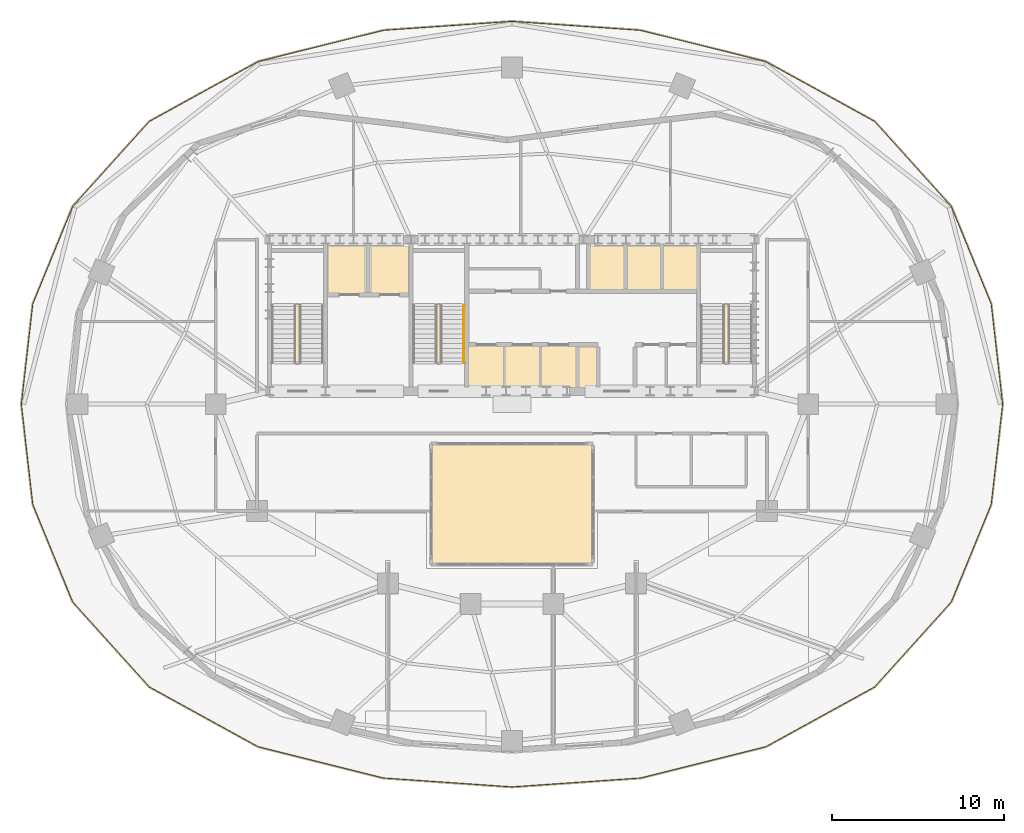
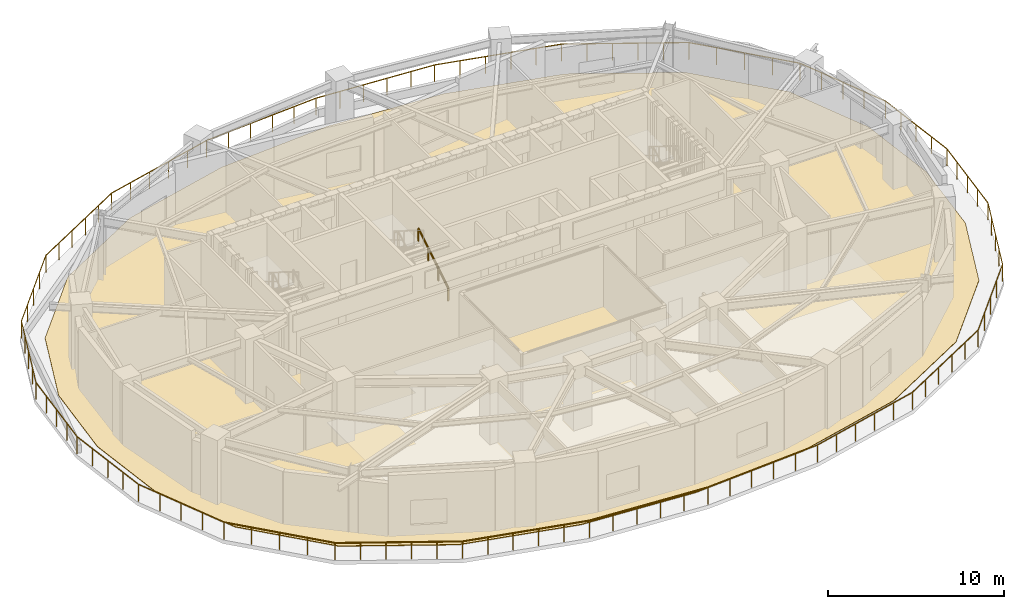
# One storey, part 10 of 11: 2 railings, 1 covering.
"""IFC4 building model written with IfcOpenShell, lengths in metres."""

import ifcopenshell
import ifcopenshell.guid

model = None  # the IFC model being written
_history = None  # IfcOwnerHistory: only IFC2X3 demands one
_inside = {}  # id of a spatial element -> (the spatial element, [elements in it])
_under = {}  # id of a project, library or spatial element -> (it, [spatial elements below it])
_declared = {}  # id of a project -> (the project, [libraries it declares])
_typed = {}  # id of a type object -> (the type object, [elements of that type])
_made_of = {}  # id of a material, layer set ... -> (it, [elements and type objects made of it])


def new_model(schema):
    """Start an empty IFC model of exactly this schema.

    Asked for "IFC4X3", IfcOpenShell would pick the latest addendum, in which some entities
    have other attributes; the version numbers below select the first issue.
    IFC2X3 requires an IfcOwnerHistory on every rooted entity: one is made here for all.
    """
    global model, _history
    if schema == "IFC4X3":
        model = ifcopenshell.file(schema_version=(4, 3, 0, 0))
    else:
        model = ifcopenshell.file(schema=schema)
    _inside.clear()
    _under.clear()
    _declared.clear()
    _typed.clear()
    _made_of.clear()
    _history = None
    if model.schema == "IFC2X3":
        org = make("IfcOrganization", Name="unknown")
        user = make(
            "IfcPersonAndOrganization",
            ThePerson=make("IfcPerson", FamilyName="unknown"),
            TheOrganization=org,
        )
        app = make(
            "IfcApplication",
            ApplicationDeveloper=org,
            Version="unknown",
            ApplicationFullName="unknown",
            ApplicationIdentifier="unknown",
        )
        _history = make(
            "IfcOwnerHistory",
            OwningUser=user,
            OwningApplication=app,
            ChangeAction="ADDED",
            CreationDate=0,
        )
    return model


def make(cls, **values):
    """One entity of the class cls with the attributes given. An attribute that is None is left unset."""
    return model.create_entity(
        cls, **{name: value for name, value in values.items() if value is not None}
    )


def rooted(cls, **values):
    """An entity with a GlobalId (a new one), such as an element, a storey or a relation."""
    return make(cls, GlobalId=ifcopenshell.guid.new(), OwnerHistory=_history, **values)


def si_unit(unit_type, name, prefix=None):
    """IfcSIUnit, for example si_unit("LENGTHUNIT", "METRE", prefix="MILLI")."""
    return make("IfcSIUnit", UnitType=unit_type, Prefix=prefix, Name=name)


def assignment(units):
    """IfcUnitAssignment: the units of a project."""
    return None if units is None else make("IfcUnitAssignment", Units=units)


def point(xyz):
    """IfcCartesianPoint."""
    return None if xyz is None else make("IfcCartesianPoint", Coordinates=xyz)


def direction(xyz):
    """IfcDirection."""
    return None if xyz is None else make("IfcDirection", DirectionRatios=xyz)


def frame(location, z_axis=None, x_axis=None):
    """IfcAxis2Placement3D, a coordinate frame: its origin and axes. An axis left out is left unset."""
    return make(
        "IfcAxis2Placement3D",
        Location=point(location),
        Axis=direction(z_axis),
        RefDirection=direction(x_axis),
    )


def frame_2d(location, x_axis=None):
    """IfcAxis2Placement2D, a coordinate frame in the plane: its origin and x axis."""
    return make(
        "IfcAxis2Placement2D", Location=point(location), RefDirection=direction(x_axis)
    )


def origin():
    """The frame at (0, 0, 0) with its axes left unset."""
    return frame((0.0, 0.0, 0.0))


def origin_2d():
    """The frame at (0, 0) in the plane with its x axis left unset."""
    return frame_2d((0.0, 0.0))


def place(relative_to, where):
    """IfcLocalPlacement: puts the frame where relative to a parent placement (None: the world)."""
    return make(
        "IfcLocalPlacement", PlacementRelTo=relative_to, RelativePlacement=where
    )


def context(
    kind, dimensions, precision=None, world=None, true_north=None, identifier=None
):
    """IfcGeometricRepresentationContext, for example the 3D "Model" context."""
    return make(
        "IfcGeometricRepresentationContext",
        ContextIdentifier=identifier,
        ContextType=kind,
        CoordinateSpaceDimension=dimensions,
        Precision=precision,
        WorldCoordinateSystem=world,
        TrueNorth=true_north,
    )


def subcontext(parent, identifier, kind, view, scale=None):
    """IfcGeometricRepresentationSubContext, for example "Body" below "Model"."""
    return make(
        "IfcGeometricRepresentationSubContext",
        ContextIdentifier=identifier,
        ContextType=kind,
        ParentContext=parent,
        TargetScale=scale,
        TargetView=view,
    )


def project(units=None, contexts=None):
    """IfcProject with its units and contexts."""
    return rooted(
        "IfcProject",
        Name="project",
        RepresentationContexts=contexts,
        UnitsInContext=assignment(units),
    )


def spatial(cls, under=None, at=None, **own):
    """A site, building, storey or space (cls), placed at a placement, below another one or the project."""
    s = rooted(cls, ObjectPlacement=at, **own)
    if under is not None:
        _under.setdefault(under.id(), (under, []))[1].append(s)
    return s


def polyline(points):
    """IfcPolyline through the points."""
    return make("IfcPolyline", Points=[point(p) for p in points])


def profile(cls, at=None, kind="AREA", **sizes):
    """A parametric profile (cls). Its sizes go by their IFC names, for example OverallWidth=200.0."""
    return make(cls, ProfileType=kind, Position=at, **sizes)


def rectangle(**sizes):
    """IfcRectangleProfileDef."""
    return profile("IfcRectangleProfileDef", **sizes)


def outline(outer, holes=None, kind="AREA"):
    """IfcArbitraryClosedProfileDef: a profile drawn as a closed curve; with holes, ...WithVoids."""
    if holes is None:
        return make("IfcArbitraryClosedProfileDef", ProfileType=kind, OuterCurve=outer)
    return make(
        "IfcArbitraryProfileDefWithVoids",
        ProfileType=kind,
        OuterCurve=outer,
        InnerCurves=holes,
    )


def extrude(swept, where, along, depth):
    """IfcExtrudedAreaSolid: the profile swept, set in the frame where, extruded along a direction by depth."""
    return make(
        "IfcExtrudedAreaSolid",
        SweptArea=swept,
        Position=where,
        ExtrudedDirection=direction(along),
        Depth=depth,
    )


def shape(context_of_items, identifier, shape_type, items):
    """IfcShapeRepresentation: the items that make up one representation, for example the "Body"."""
    return make(
        "IfcShapeRepresentation",
        ContextOfItems=context_of_items,
        RepresentationIdentifier=identifier,
        RepresentationType=shape_type,
        Items=items,
    )


def material(Name=None, Category=None):
    """IfcMaterial."""
    return make("IfcMaterial", Name=Name, Category=Category)


def layer(
    of_material, thickness, ventilated=None, Name=None, Category=None, Priority=None
):
    """IfcMaterialLayer: one layer of a wall or slab, of a material (None: an air gap)."""
    return make(
        "IfcMaterialLayer",
        Material=of_material,
        LayerThickness=thickness,
        IsVentilated=ventilated,
        Name=Name,
        Category=Category,
        Priority=Priority,
    )


def layer_set(layers, Name=None):
    """IfcMaterialLayerSet."""
    return make("IfcMaterialLayerSet", MaterialLayers=layers, LayerSetName=Name)


def made_of(thing, what):
    """Note that an element or type object is made of a material, layer set ...; save() writes the relation."""
    if what is not None:
        _made_of.setdefault(what.id(), (what, []))[1].append(thing)
    return thing


def type_object(cls, material=None, **own):
    """A type object (cls), such as IfcWallType, which elements share."""
    return made_of(rooted(cls, **own), material)


def element(
    cls,
    number,
    at=None,
    inside=None,
    cuts=None,
    type_object=None,
    material=None,
    context=None,
    identifier="Body",
    shape_type=None,
    held_by="IfcProductDefinitionShape",
    body=None,
    shapes=None,
    **own,
):
    """One element of the class cls, such as IfcWall. Its Tag is "e" and its number.

    at: its placement. inside: the storey or other place that contains it. cuts: it is an
    opening in that element (IfcRelVoidsElement). A single representation is given by context,
    identifier, shape_type and body (its items); several are given by shapes. held_by: the class
    of the entity that holds the representations. save() writes the other relations.
    """
    e = rooted(cls, Tag="e%d" % number, ObjectPlacement=at, **own)
    if body is not None:
        shapes = [shape(context, identifier, shape_type, body)]
    if shapes is not None:
        e.Representation = make(held_by, Representations=shapes)
    if inside is not None:
        _inside.setdefault(inside.id(), (inside, []))[1].append(e)
    if cuts is not None:
        rooted(
            "IfcRelVoidsElement", RelatingBuildingElement=cuts, RelatedOpeningElement=e
        )
    if type_object is not None:
        _typed.setdefault(type_object.id(), (type_object, []))[1].append(e)
    return made_of(e, material)


def aggregate(whole, parts):
    """IfcRelAggregates: a whole, such as a stair, and the parts it consists of."""
    return rooted("IfcRelAggregates", RelatingObject=whole, RelatedObjects=parts)


def save(model, path):
    """Write the relations noted so far, then the file.

    IfcRelAggregates (storeys below a building ...), IfcRelContainedInSpatialStructure (elements
    in a storey), IfcRelDefinesByType, IfcRelAssociatesMaterial and IfcRelDeclares: one each for
    every whole, place, type object, material and project.
    """
    for whole, parts in _under.values():
        aggregate(whole, parts)
    for where, things in _inside.values():
        rooted(
            "IfcRelContainedInSpatialStructure",
            RelatedElements=things,
            RelatingStructure=where,
        )
    for kind, things in _typed.values():
        rooted("IfcRelDefinesByType", RelatedObjects=things, RelatingType=kind)
    for what, things in _made_of.values():
        rooted("IfcRelAssociatesMaterial", RelatedObjects=things, RelatingMaterial=what)
    for by, libraries in _declared.values():
        rooted("IfcRelDeclares", RelatingContext=by, RelatedDefinitions=libraries)
    model.write(path)


model = new_model("IFC4")

# Units and contexts
model_context = context("Model", 3, precision=1e-05, world=origin(), true_north=direction((0.0, 1.0)))
body_context = subcontext(model_context, "Body", "Model", "MODEL_VIEW")
ifc_project = project(units=[si_unit("LENGTHUNIT", "METRE"), si_unit("AREAUNIT", "SQUARE_METRE"), si_unit("VOLUMEUNIT", "CUBIC_METRE"), si_unit("PLANEANGLEUNIT", "RADIAN"), si_unit("MASSUNIT", "GRAM", prefix="KILO")], contexts=[model_context])

# Site, building, storey
site_placement = place(None, origin())
site = spatial("IfcSite", under=ifc_project, at=site_placement, CompositionType="ELEMENT")
building_placement = place(site_placement, origin())
building = spatial("IfcBuilding", under=site, at=building_placement, Name="Haldorwick Loom Tower", CompositionType="ELEMENT")
storey_placement = place(building_placement, frame((0.0, 0.0, 131.14990234375)))
storey = spatial("IfcBuildingStorey", under=building, at=storey_placement, Name="L35", CompositionType="ELEMENT", Elevation=131.14990234375)

# Covering
ifc_material_1 = material(Name="SBS Modified Bitumen Inverted Roof Membrane")
ifc_layer = layer(ifc_material_1, 0.0400390625, Name="SBS Modified Bitumen Inverted Roof Membrane")
ifc_layer_set = layer_set([ifc_layer], Name="SBS Modified Bitumen Inverted Roof Membrane")
covering_type = type_object("IfcCoveringType", Name="ARC-COV-ROOFMEM", PredefinedType="ROOFING", material=ifc_layer_set)
covering_placement = place(storey_placement, origin())
element("IfcCovering", 1, at=covering_placement, inside=storey, type_object=covering_type, Name="L35 Terrace Inverted Roof Membrane 1", PredefinedType="ROOFING", context=body_context, shape_type="SweptSolid", body=[
    extrude(outline(polyline([(63.1484375, 25.999755859375), (62.52587890625, 31.482666015625), (60.364013671875, 36.76611328125), (56.222412109375, 41.361328125), (50.24755859375, 44.64697265625), (43.256591796875, 46.392333984375), (36.00146484375, 46.89501953125), (28.746826171875, 46.392822265625), (21.757080078125, 44.648681640625), (15.78271484375, 41.365234375), (11.639404296875, 36.771484375), (9.475341796875, 31.48779296875), (8.851806640625, 26.002197265625), (9.47412109375, 20.51708984375), (11.635986328125, 15.23388671875), (15.777587890625, 10.638671875), (21.75244140625, 7.35302734375), (28.743408203125, 5.607666015625), (35.99853515625, 5.10498046875), (43.253173828125, 5.607177734375), (50.242919921875, 7.351318359375), (56.21728515625, 10.634765625), (60.360595703125, 15.228515625), (62.524658203125, 20.51220703125), (63.1484375, 25.999755859375)])), origin(), (0.0, 0.0, 1.0), 0.0400390625),
])

# Railings
ifc_material_2 = material(Name="Galvanized Steel CSA G40.21 350W", Category="steel")
railing_type_1 = type_object("IfcRailingType", Name="ARC-RLG-BAL120", PredefinedType="BALUSTRADE", material=ifc_material_2)
railing_1_placement = place(storey_placement, frame((7.52294921875, 26.0, 0.0)))
element("IfcRailing", 2, at=railing_1_placement, inside=storey, type_object=railing_type_1, Name="L35 Outdoor Terrace Guardrail SLB-L35-TERR-1-1", PredefinedType="BALUSTRADE", context=body_context, shape_type="SweptSolid", body=[
    extrude(rectangle(XDim=0.048095703125, YDim=0.048095703125, at=origin_2d()), frame((0.0, 0.0, 1.17578125), z_axis=(0.11282078375, 0.993615353522, 0.0), x_axis=(-0.993615353522, 0.11282078375, 0.0)), (0.0, 0.0, 1.0), 5.853515625),
    extrude(rectangle(XDim=0.048095703125, YDim=0.048095703125, at=origin_2d()), frame((0.660400390625, 5.816162109375, 1.17578125), z_axis=(0.378817606596, 0.925471350682, 0.0), x_axis=(-0.925471350682, 0.378817606596, 0.0)), (0.0, 0.0, 1.0), 6.12255859375),
    extrude(rectangle(XDim=0.048095703125, YDim=0.048095703125, at=origin_2d()), frame((2.979736328125, 11.482421875, 1.17578125), z_axis=(0.669647097377, 0.742679449678, 0.0), x_axis=(-0.742679449678, 0.669647097377, 0.0)), (0.0, 0.0, 1.0), 6.638916015625),
    extrude(rectangle(XDim=0.048095703125, YDim=0.048095703125, at=origin_2d()), frame((7.425537109375, 16.4130859375, 1.17578125), z_axis=(0.876321662252, 0.481726420562, 0.0), x_axis=(-0.481726420562, 0.876321662252, 0.0)), (0.0, 0.0, 1.0), 7.21240234375),
    extrude(rectangle(XDim=0.048095703125, YDim=0.048095703125, at=origin_2d()), frame((13.745849609375, 19.887451171875, 1.17578125), z_axis=(0.970245923499, 0.242121556109, 0.0), x_axis=(-0.242121556109, 0.970245923499, 0.0)), (0.0, 0.0, 1.0), 7.491943359375),
    extrude(rectangle(XDim=0.048095703125, YDim=0.048095703125, at=origin_2d()), frame((21.014892578125, 21.701416015625, 1.17578125), z_axis=(0.997609967652, 0.069096689073, 0.0), x_axis=(-0.069096689073, 0.997609967652, 0.0)), (0.0, 0.0, 1.0), 7.47998046875),
    extrude(rectangle(XDim=0.048095703125, YDim=0.048095703125, at=origin_2d()), frame((28.47705078125, 22.21826171875, 1.17578125), z_axis=(0.997609967652, -0.069096689073, 0.0), x_axis=(0.069096689073, 0.997609967652, 0.0)), (0.0, 0.0, 1.0), 7.47998046875),
    extrude(rectangle(XDim=0.048095703125, YDim=0.048095703125, at=origin_2d()), frame((35.939208984375, 21.701416015625, 1.17578125), z_axis=(0.970245923499, -0.242121556109, 0.0), x_axis=(0.242121556109, 0.970245923499, 0.0)), (0.0, 0.0, 1.0), 7.491943359375),
    extrude(rectangle(XDim=0.048095703125, YDim=0.048095703125, at=origin_2d()), frame((43.208251953125, 19.887451171875, 1.17578125), z_axis=(0.876321662252, -0.481726420562, 0.0), x_axis=(0.481726420562, 0.876321662252, 0.0)), (0.0, 0.0, 1.0), 7.21240234375),
    extrude(rectangle(XDim=0.048095703125, YDim=0.048095703125, at=origin_2d()), frame((49.528564453125, 16.4130859375, 1.17578125), z_axis=(0.669647097377, -0.742679449678, 0.0), x_axis=(0.742679449678, 0.669647097377, 0.0)), (0.0, 0.0, 1.0), 6.638916015625),
    extrude(rectangle(XDim=0.048095703125, YDim=0.048095703125, at=origin_2d()), frame((53.974365234375, 11.482421875, 1.17578125), z_axis=(0.378817606596, -0.925471350682, 0.0), x_axis=(0.925471350682, 0.378817606596, 0.0)), (0.0, 0.0, 1.0), 6.12255859375),
    extrude(rectangle(XDim=0.048095703125, YDim=0.048095703125, at=origin_2d()), frame((56.293701171875, 5.816162109375, 1.17578125), z_axis=(0.11282078375, -0.993615353522, 0.0), x_axis=(0.993615353522, 0.11282078375, 0.0)), (0.0, 0.0, 1.0), 5.853515625),
    extrude(rectangle(XDim=0.048095703125, YDim=0.048095703125, at=origin_2d()), frame((56.9541015625, 0.0, 1.17578125), z_axis=(-0.11282078375, -0.993615353522, 0.0), x_axis=(0.993615353522, -0.11282078375, 0.0)), (0.0, 0.0, 1.0), 5.853515625),
    extrude(rectangle(XDim=0.048095703125, YDim=0.048095703125, at=origin_2d()), frame((56.293701171875, -5.816162109375, 1.17578125), z_axis=(-0.378817606596, -0.925471350682, 0.0), x_axis=(0.925471350682, -0.378817606596, 0.0)), (0.0, 0.0, 1.0), 6.12255859375),
    extrude(rectangle(XDim=0.048095703125, YDim=0.048095703125, at=origin_2d()), frame((53.974365234375, -11.482421875, 1.17578125), z_axis=(-0.669647097377, -0.742679449678, 0.0), x_axis=(0.742679449678, -0.669647097377, 0.0)), (0.0, 0.0, 1.0), 6.638916015625),
    extrude(rectangle(XDim=0.048095703125, YDim=0.048095703125, at=origin_2d()), frame((49.528564453125, -16.4130859375, 1.17578125), z_axis=(-0.876321662252, -0.481726420562, 0.0), x_axis=(0.481726420562, -0.876321662252, 0.0)), (0.0, 0.0, 1.0), 7.21240234375),
    extrude(rectangle(XDim=0.048095703125, YDim=0.048095703125, at=origin_2d()), frame((43.208251953125, -19.887451171875, 1.17578125), z_axis=(-0.970245923499, -0.242121556109, 0.0), x_axis=(0.242121556109, -0.970245923499, 0.0)), (0.0, 0.0, 1.0), 7.491943359375),
    extrude(rectangle(XDim=0.048095703125, YDim=0.048095703125, at=origin_2d()), frame((35.939208984375, -21.701416015625, 1.17578125), z_axis=(-0.997609967652, -0.069096689073, 0.0), x_axis=(0.069096689073, -0.997609967652, 0.0)), (0.0, 0.0, 1.0), 7.47998046875),
    extrude(rectangle(XDim=0.048095703125, YDim=0.048095703125, at=origin_2d()), frame((28.47705078125, -22.21826171875, 1.17578125), z_axis=(-0.997609967652, 0.069096689073, 0.0), x_axis=(-0.069096689073, -0.997609967652, 0.0)), (0.0, 0.0, 1.0), 7.47998046875),
    extrude(rectangle(XDim=0.048095703125, YDim=0.048095703125, at=origin_2d()), frame((21.014892578125, -21.701416015625, 1.17578125), z_axis=(-0.970245923499, 0.242121556109, 0.0), x_axis=(-0.242121556109, -0.970245923499, 0.0)), (0.0, 0.0, 1.0), 7.491943359375),
    extrude(rectangle(XDim=0.048095703125, YDim=0.048095703125, at=origin_2d()), frame((13.745849609375, -19.887451171875, 1.17578125), z_axis=(-0.876321662252, 0.481726420562, 0.0), x_axis=(-0.481726420562, -0.876321662252, 0.0)), (0.0, 0.0, 1.0), 7.21240234375),
    extrude(rectangle(XDim=0.048095703125, YDim=0.048095703125, at=origin_2d()), frame((7.425537109375, -16.4130859375, 1.17578125), z_axis=(-0.669647097377, 0.742679449678, 0.0), x_axis=(-0.742679449678, -0.669647097377, 0.0)), (0.0, 0.0, 1.0), 6.638916015625),
    extrude(rectangle(XDim=0.048095703125, YDim=0.048095703125, at=origin_2d()), frame((2.979736328125, -11.482421875, 1.17578125), z_axis=(-0.378817606596, 0.925471350682, 0.0), x_axis=(-0.925471350682, -0.378817606596, 0.0)), (0.0, 0.0, 1.0), 6.12255859375),
    extrude(rectangle(XDim=0.048095703125, YDim=0.048095703125, at=origin_2d()), frame((0.660400390625, -5.816162109375, 1.17578125), z_axis=(-0.11282078375, 0.993615353522, 0.0), x_axis=(-0.993615353522, -0.11282078375, 0.0)), (0.0, 0.0, 1.0), 5.853515625),
    extrude(rectangle(XDim=0.0419921875, YDim=0.0419921875, at=origin_2d()), origin(), (0.0, 0.0, 1.0), 1.15185546875),
    extrude(rectangle(XDim=0.0419921875, YDim=0.0419921875, at=origin_2d()), frame((0.1650390625, 1.4541015625, 0.0)), (0.0, 0.0, 1.0), 1.15185546875),
    extrude(rectangle(XDim=0.0419921875, YDim=0.0419921875, at=origin_2d()), frame((0.330078125, 2.908203125, 0.0)), (0.0, 0.0, 1.0), 1.15185546875),
    extrude(rectangle(XDim=0.0419921875, YDim=0.0419921875, at=origin_2d()), frame((0.495361328125, 4.362060546875, 0.0)), (0.0, 0.0, 1.0), 1.15185546875),
    extrude(rectangle(XDim=0.0419921875, YDim=0.0419921875, at=origin_2d()), frame((0.660400390625, 5.816162109375, 0.0)), (0.0, 0.0, 1.0), 1.15185546875),
    extrude(rectangle(XDim=0.0419921875, YDim=0.0419921875, at=origin_2d()), frame((1.240234375, 7.232666015625, 0.0)), (0.0, 0.0, 1.0), 1.15185546875),
    extrude(rectangle(XDim=0.0419921875, YDim=0.0419921875, at=origin_2d()), frame((1.820068359375, 8.6494140625, 0.0)), (0.0, 0.0, 1.0), 1.15185546875),
    extrude(rectangle(XDim=0.0419921875, YDim=0.0419921875, at=origin_2d()), frame((2.39990234375, 10.06591796875, 0.0)), (0.0, 0.0, 1.0), 1.15185546875),
    extrude(rectangle(XDim=0.0419921875, YDim=0.0419921875, at=origin_2d()), frame((2.979736328125, 11.482421875, 0.0)), (0.0, 0.0, 1.0), 1.15185546875),
    extrude(rectangle(XDim=0.0419921875, YDim=0.0419921875, at=origin_2d()), frame((4.09130859375, 12.715087890625, 0.0)), (0.0, 0.0, 1.0), 1.15185546875),
    extrude(rectangle(XDim=0.0419921875, YDim=0.0419921875, at=origin_2d()), frame((5.20263671875, 13.94775390625, 0.0)), (0.0, 0.0, 1.0), 1.15185546875),
    extrude(rectangle(XDim=0.0419921875, YDim=0.0419921875, at=origin_2d()), frame((6.31396484375, 15.180419921875, 0.0)), (0.0, 0.0, 1.0), 1.15185546875),
    extrude(rectangle(XDim=0.0419921875, YDim=0.0419921875, at=origin_2d()), frame((7.425537109375, 16.4130859375, 0.0)), (0.0, 0.0, 1.0), 1.15185546875),
    extrude(rectangle(XDim=0.0419921875, YDim=0.0419921875, at=origin_2d()), frame((8.689697265625, 17.10791015625, 0.0)), (0.0, 0.0, 1.0), 1.15185546875),
    extrude(rectangle(XDim=0.0419921875, YDim=0.0419921875, at=origin_2d()), frame((9.95361328125, 17.802734375, 0.0)), (0.0, 0.0, 1.0), 1.15185546875),
    extrude(rectangle(XDim=0.0419921875, YDim=0.0419921875, at=origin_2d()), frame((11.2177734375, 18.497802734375, 0.0)), (0.0, 0.0, 1.0), 1.15185546875),
    extrude(rectangle(XDim=0.0419921875, YDim=0.0419921875, at=origin_2d()), frame((12.481689453125, 19.192626953125, 0.0)), (0.0, 0.0, 1.0), 1.15185546875),
    extrude(rectangle(XDim=0.0419921875, YDim=0.0419921875, at=origin_2d()), frame((13.745849609375, 19.887451171875, 0.0)), (0.0, 0.0, 1.0), 1.15185546875),
    extrude(rectangle(XDim=0.0419921875, YDim=0.0419921875, at=origin_2d()), frame((15.19970703125, 20.250244140625, 0.0)), (0.0, 0.0, 1.0), 1.15185546875),
    extrude(rectangle(XDim=0.0419921875, YDim=0.0419921875, at=origin_2d()), frame((16.653564453125, 20.613037109375, 0.0)), (0.0, 0.0, 1.0), 1.15185546875),
    extrude(rectangle(XDim=0.0419921875, YDim=0.0419921875, at=origin_2d()), frame((18.107177734375, 20.975830078125, 0.0)), (0.0, 0.0, 1.0), 1.15185546875),
    extrude(rectangle(XDim=0.0419921875, YDim=0.0419921875, at=origin_2d()), frame((19.56103515625, 21.338623046875, 0.0)), (0.0, 0.0, 1.0), 1.15185546875),
    extrude(rectangle(XDim=0.0419921875, YDim=0.0419921875, at=origin_2d()), frame((21.014892578125, 21.701416015625, 0.0)), (0.0, 0.0, 1.0), 1.15185546875),
    extrude(rectangle(XDim=0.0419921875, YDim=0.0419921875, at=origin_2d()), frame((22.50732421875, 21.8046875, 0.0)), (0.0, 0.0, 1.0), 1.15185546875),
    extrude(rectangle(XDim=0.0419921875, YDim=0.0419921875, at=origin_2d()), frame((23.999755859375, 21.908203125, 0.0)), (0.0, 0.0, 1.0), 1.15185546875),
    extrude(rectangle(XDim=0.0419921875, YDim=0.0419921875, at=origin_2d()), frame((25.4921875, 22.011474609375, 0.0)), (0.0, 0.0, 1.0), 1.15185546875),
    extrude(rectangle(XDim=0.0419921875, YDim=0.0419921875, at=origin_2d()), frame((26.984619140625, 22.114990234375, 0.0)), (0.0, 0.0, 1.0), 1.15185546875),
    extrude(rectangle(XDim=0.0419921875, YDim=0.0419921875, at=origin_2d()), frame((28.47705078125, 22.21826171875, 0.0)), (0.0, 0.0, 1.0), 1.15185546875),
    extrude(rectangle(XDim=0.0419921875, YDim=0.0419921875, at=origin_2d()), frame((29.969482421875, 22.114990234375, 0.0)), (0.0, 0.0, 1.0), 1.15185546875),
    extrude(rectangle(XDim=0.0419921875, YDim=0.0419921875, at=origin_2d()), frame((31.4619140625, 22.011474609375, 0.0)), (0.0, 0.0, 1.0), 1.15185546875),
    extrude(rectangle(XDim=0.0419921875, YDim=0.0419921875, at=origin_2d()), frame((32.954345703125, 21.908203125, 0.0)), (0.0, 0.0, 1.0), 1.15185546875),
    extrude(rectangle(XDim=0.0419921875, YDim=0.0419921875, at=origin_2d()), frame((34.44677734375, 21.8046875, 0.0)), (0.0, 0.0, 1.0), 1.15185546875),
    extrude(rectangle(XDim=0.0419921875, YDim=0.0419921875, at=origin_2d()), frame((35.939208984375, 21.701416015625, 0.0)), (0.0, 0.0, 1.0), 1.15185546875),
    extrude(rectangle(XDim=0.0419921875, YDim=0.0419921875, at=origin_2d()), frame((37.39306640625, 21.338623046875, 0.0)), (0.0, 0.0, 1.0), 1.15185546875),
    extrude(rectangle(XDim=0.0419921875, YDim=0.0419921875, at=origin_2d()), frame((38.846923828125, 20.975830078125, 0.0)), (0.0, 0.0, 1.0), 1.15185546875),
    extrude(rectangle(XDim=0.0419921875, YDim=0.0419921875, at=origin_2d()), frame((40.300537109375, 20.613037109375, 0.0)), (0.0, 0.0, 1.0), 1.15185546875),
    extrude(rectangle(XDim=0.0419921875, YDim=0.0419921875, at=origin_2d()), frame((41.75439453125, 20.250244140625, 0.0)), (0.0, 0.0, 1.0), 1.15185546875),
    extrude(rectangle(XDim=0.0419921875, YDim=0.0419921875, at=origin_2d()), frame((43.208251953125, 19.887451171875, 0.0)), (0.0, 0.0, 1.0), 1.15185546875),
    extrude(rectangle(XDim=0.0419921875, YDim=0.0419921875, at=origin_2d()), frame((44.472412109375, 19.192626953125, 0.0)), (0.0, 0.0, 1.0), 1.15185546875),
    extrude(rectangle(XDim=0.0419921875, YDim=0.0419921875, at=origin_2d()), frame((45.736328125, 18.497802734375, 0.0)), (0.0, 0.0, 1.0), 1.15185546875),
    extrude(rectangle(XDim=0.0419921875, YDim=0.0419921875, at=origin_2d()), frame((47.00048828125, 17.802734375, 0.0)), (0.0, 0.0, 1.0), 1.15185546875),
    extrude(rectangle(XDim=0.0419921875, YDim=0.0419921875, at=origin_2d()), frame((48.264404296875, 17.10791015625, 0.0)), (0.0, 0.0, 1.0), 1.15185546875),
    extrude(rectangle(XDim=0.0419921875, YDim=0.0419921875, at=origin_2d()), frame((49.528564453125, 16.4130859375, 0.0)), (0.0, 0.0, 1.0), 1.15185546875),
    extrude(rectangle(XDim=0.0419921875, YDim=0.0419921875, at=origin_2d()), frame((50.64013671875, 15.180419921875, 0.0)), (0.0, 0.0, 1.0), 1.15185546875),
    extrude(rectangle(XDim=0.0419921875, YDim=0.0419921875, at=origin_2d()), frame((51.75146484375, 13.94775390625, 0.0)), (0.0, 0.0, 1.0), 1.15185546875),
    extrude(rectangle(XDim=0.0419921875, YDim=0.0419921875, at=origin_2d()), frame((52.86279296875, 12.715087890625, 0.0)), (0.0, 0.0, 1.0), 1.15185546875),
    extrude(rectangle(XDim=0.0419921875, YDim=0.0419921875, at=origin_2d()), frame((53.974365234375, 11.482421875, 0.0)), (0.0, 0.0, 1.0), 1.15185546875),
    extrude(rectangle(XDim=0.0419921875, YDim=0.0419921875, at=origin_2d()), frame((54.55419921875, 10.06591796875, 0.0)), (0.0, 0.0, 1.0), 1.15185546875),
    extrude(rectangle(XDim=0.0419921875, YDim=0.0419921875, at=origin_2d()), frame((55.134033203125, 8.6494140625, 0.0)), (0.0, 0.0, 1.0), 1.15185546875),
    extrude(rectangle(XDim=0.0419921875, YDim=0.0419921875, at=origin_2d()), frame((55.7138671875, 7.232666015625, 0.0)), (0.0, 0.0, 1.0), 1.15185546875),
    extrude(rectangle(XDim=0.0419921875, YDim=0.0419921875, at=origin_2d()), frame((56.293701171875, 5.816162109375, 0.0)), (0.0, 0.0, 1.0), 1.15185546875),
    extrude(rectangle(XDim=0.0419921875, YDim=0.0419921875, at=origin_2d()), frame((56.458740234375, 4.362060546875, 0.0)), (0.0, 0.0, 1.0), 1.15185546875),
    extrude(rectangle(XDim=0.0419921875, YDim=0.0419921875, at=origin_2d()), frame((56.6240234375, 2.908203125, 0.0)), (0.0, 0.0, 1.0), 1.15185546875),
    extrude(rectangle(XDim=0.0419921875, YDim=0.0419921875, at=origin_2d()), frame((56.7890625, 1.4541015625, 0.0)), (0.0, 0.0, 1.0), 1.15185546875),
    extrude(rectangle(XDim=0.0419921875, YDim=0.0419921875, at=origin_2d()), frame((56.9541015625, 0.0, 0.0)), (0.0, 0.0, 1.0), 1.15185546875),
    extrude(rectangle(XDim=0.0419921875, YDim=0.0419921875, at=origin_2d()), frame((56.7890625, -1.4541015625, 0.0)), (0.0, 0.0, 1.0), 1.15185546875),
    extrude(rectangle(XDim=0.0419921875, YDim=0.0419921875, at=origin_2d()), frame((56.6240234375, -2.908203125, 0.0)), (0.0, 0.0, 1.0), 1.15185546875),
    extrude(rectangle(XDim=0.0419921875, YDim=0.0419921875, at=origin_2d()), frame((56.458740234375, -4.362060546875, 0.0)), (0.0, 0.0, 1.0), 1.15185546875),
    extrude(rectangle(XDim=0.0419921875, YDim=0.0419921875, at=origin_2d()), frame((56.293701171875, -5.816162109375, 0.0)), (0.0, 0.0, 1.0), 1.15185546875),
    extrude(rectangle(XDim=0.0419921875, YDim=0.0419921875, at=origin_2d()), frame((55.7138671875, -7.232666015625, 0.0)), (0.0, 0.0, 1.0), 1.15185546875),
    extrude(rectangle(XDim=0.0419921875, YDim=0.0419921875, at=origin_2d()), frame((55.134033203125, -8.6494140625, 0.0)), (0.0, 0.0, 1.0), 1.15185546875),
    extrude(rectangle(XDim=0.0419921875, YDim=0.0419921875, at=origin_2d()), frame((54.55419921875, -10.06591796875, 0.0)), (0.0, 0.0, 1.0), 1.15185546875),
    extrude(rectangle(XDim=0.0419921875, YDim=0.0419921875, at=origin_2d()), frame((53.974365234375, -11.482421875, 0.0)), (0.0, 0.0, 1.0), 1.15185546875),
    extrude(rectangle(XDim=0.0419921875, YDim=0.0419921875, at=origin_2d()), frame((52.86279296875, -12.715087890625, 0.0)), (0.0, 0.0, 1.0), 1.15185546875),
    extrude(rectangle(XDim=0.0419921875, YDim=0.0419921875, at=origin_2d()), frame((51.75146484375, -13.94775390625, 0.0)), (0.0, 0.0, 1.0), 1.15185546875),
    extrude(rectangle(XDim=0.0419921875, YDim=0.0419921875, at=origin_2d()), frame((50.64013671875, -15.180419921875, 0.0)), (0.0, 0.0, 1.0), 1.15185546875),
    extrude(rectangle(XDim=0.0419921875, YDim=0.0419921875, at=origin_2d()), frame((49.528564453125, -16.4130859375, 0.0)), (0.0, 0.0, 1.0), 1.15185546875),
    extrude(rectangle(XDim=0.0419921875, YDim=0.0419921875, at=origin_2d()), frame((48.264404296875, -17.10791015625, 0.0)), (0.0, 0.0, 1.0), 1.15185546875),
    extrude(rectangle(XDim=0.0419921875, YDim=0.0419921875, at=origin_2d()), frame((47.00048828125, -17.802734375, 0.0)), (0.0, 0.0, 1.0), 1.15185546875),
    extrude(rectangle(XDim=0.0419921875, YDim=0.0419921875, at=origin_2d()), frame((45.736328125, -18.497802734375, 0.0)), (0.0, 0.0, 1.0), 1.15185546875),
    extrude(rectangle(XDim=0.0419921875, YDim=0.0419921875, at=origin_2d()), frame((44.472412109375, -19.192626953125, 0.0)), (0.0, 0.0, 1.0), 1.15185546875),
    extrude(rectangle(XDim=0.0419921875, YDim=0.0419921875, at=origin_2d()), frame((43.208251953125, -19.887451171875, 0.0)), (0.0, 0.0, 1.0), 1.15185546875),
    extrude(rectangle(XDim=0.0419921875, YDim=0.0419921875, at=origin_2d()), frame((41.75439453125, -20.250244140625, 0.0)), (0.0, 0.0, 1.0), 1.15185546875),
    extrude(rectangle(XDim=0.0419921875, YDim=0.0419921875, at=origin_2d()), frame((40.300537109375, -20.613037109375, 0.0)), (0.0, 0.0, 1.0), 1.15185546875),
    extrude(rectangle(XDim=0.0419921875, YDim=0.0419921875, at=origin_2d()), frame((38.846923828125, -20.975830078125, 0.0)), (0.0, 0.0, 1.0), 1.15185546875),
    extrude(rectangle(XDim=0.0419921875, YDim=0.0419921875, at=origin_2d()), frame((37.39306640625, -21.338623046875, 0.0)), (0.0, 0.0, 1.0), 1.15185546875),
    extrude(rectangle(XDim=0.0419921875, YDim=0.0419921875, at=origin_2d()), frame((35.939208984375, -21.701416015625, 0.0)), (0.0, 0.0, 1.0), 1.15185546875),
    extrude(rectangle(XDim=0.0419921875, YDim=0.0419921875, at=origin_2d()), frame((34.44677734375, -21.8046875, 0.0)), (0.0, 0.0, 1.0), 1.15185546875),
    extrude(rectangle(XDim=0.0419921875, YDim=0.0419921875, at=origin_2d()), frame((32.954345703125, -21.908203125, 0.0)), (0.0, 0.0, 1.0), 1.15185546875),
    extrude(rectangle(XDim=0.0419921875, YDim=0.0419921875, at=origin_2d()), frame((31.4619140625, -22.011474609375, 0.0)), (0.0, 0.0, 1.0), 1.15185546875),
    extrude(rectangle(XDim=0.0419921875, YDim=0.0419921875, at=origin_2d()), frame((29.969482421875, -22.114990234375, 0.0)), (0.0, 0.0, 1.0), 1.15185546875),
    extrude(rectangle(XDim=0.0419921875, YDim=0.0419921875, at=origin_2d()), frame((28.47705078125, -22.21826171875, 0.0)), (0.0, 0.0, 1.0), 1.15185546875),
    extrude(rectangle(XDim=0.0419921875, YDim=0.0419921875, at=origin_2d()), frame((26.984619140625, -22.114990234375, 0.0)), (0.0, 0.0, 1.0), 1.15185546875),
    extrude(rectangle(XDim=0.0419921875, YDim=0.0419921875, at=origin_2d()), frame((25.4921875, -22.011474609375, 0.0)), (0.0, 0.0, 1.0), 1.15185546875),
    extrude(rectangle(XDim=0.0419921875, YDim=0.0419921875, at=origin_2d()), frame((23.999755859375, -21.908203125, 0.0)), (0.0, 0.0, 1.0), 1.15185546875),
    extrude(rectangle(XDim=0.0419921875, YDim=0.0419921875, at=origin_2d()), frame((22.50732421875, -21.8046875, 0.0)), (0.0, 0.0, 1.0), 1.15185546875),
    extrude(rectangle(XDim=0.0419921875, YDim=0.0419921875, at=origin_2d()), frame((21.014892578125, -21.701416015625, 0.0)), (0.0, 0.0, 1.0), 1.15185546875),
    extrude(rectangle(XDim=0.0419921875, YDim=0.0419921875, at=origin_2d()), frame((19.56103515625, -21.338623046875, 0.0)), (0.0, 0.0, 1.0), 1.15185546875),
    extrude(rectangle(XDim=0.0419921875, YDim=0.0419921875, at=origin_2d()), frame((18.107177734375, -20.975830078125, 0.0)), (0.0, 0.0, 1.0), 1.15185546875),
    extrude(rectangle(XDim=0.0419921875, YDim=0.0419921875, at=origin_2d()), frame((16.653564453125, -20.613037109375, 0.0)), (0.0, 0.0, 1.0), 1.15185546875),
    extrude(rectangle(XDim=0.0419921875, YDim=0.0419921875, at=origin_2d()), frame((15.19970703125, -20.250244140625, 0.0)), (0.0, 0.0, 1.0), 1.15185546875),
    extrude(rectangle(XDim=0.0419921875, YDim=0.0419921875, at=origin_2d()), frame((13.745849609375, -19.887451171875, 0.0)), (0.0, 0.0, 1.0), 1.15185546875),
    extrude(rectangle(XDim=0.0419921875, YDim=0.0419921875, at=origin_2d()), frame((12.481689453125, -19.192626953125, 0.0)), (0.0, 0.0, 1.0), 1.15185546875),
    extrude(rectangle(XDim=0.0419921875, YDim=0.0419921875, at=origin_2d()), frame((11.2177734375, -18.497802734375, 0.0)), (0.0, 0.0, 1.0), 1.15185546875),
    extrude(rectangle(XDim=0.0419921875, YDim=0.0419921875, at=origin_2d()), frame((9.95361328125, -17.802734375, 0.0)), (0.0, 0.0, 1.0), 1.15185546875),
    extrude(rectangle(XDim=0.0419921875, YDim=0.0419921875, at=origin_2d()), frame((8.689697265625, -17.10791015625, 0.0)), (0.0, 0.0, 1.0), 1.15185546875),
    extrude(rectangle(XDim=0.0419921875, YDim=0.0419921875, at=origin_2d()), frame((7.425537109375, -16.4130859375, 0.0)), (0.0, 0.0, 1.0), 1.15185546875),
    extrude(rectangle(XDim=0.0419921875, YDim=0.0419921875, at=origin_2d()), frame((6.31396484375, -15.180419921875, 0.0)), (0.0, 0.0, 1.0), 1.15185546875),
    extrude(rectangle(XDim=0.0419921875, YDim=0.0419921875, at=origin_2d()), frame((5.20263671875, -13.94775390625, 0.0)), (0.0, 0.0, 1.0), 1.15185546875),
    extrude(rectangle(XDim=0.0419921875, YDim=0.0419921875, at=origin_2d()), frame((4.09130859375, -12.715087890625, 0.0)), (0.0, 0.0, 1.0), 1.15185546875),
    extrude(rectangle(XDim=0.0419921875, YDim=0.0419921875, at=origin_2d()), frame((2.979736328125, -11.482421875, 0.0)), (0.0, 0.0, 1.0), 1.15185546875),
    extrude(rectangle(XDim=0.0419921875, YDim=0.0419921875, at=origin_2d()), frame((2.39990234375, -10.06591796875, 0.0)), (0.0, 0.0, 1.0), 1.15185546875),
    extrude(rectangle(XDim=0.0419921875, YDim=0.0419921875, at=origin_2d()), frame((1.820068359375, -8.6494140625, 0.0)), (0.0, 0.0, 1.0), 1.15185546875),
    extrude(rectangle(XDim=0.0419921875, YDim=0.0419921875, at=origin_2d()), frame((1.240234375, -7.232666015625, 0.0)), (0.0, 0.0, 1.0), 1.15185546875),
    extrude(rectangle(XDim=0.0419921875, YDim=0.0419921875, at=origin_2d()), frame((0.660400390625, -5.816162109375, 0.0)), (0.0, 0.0, 1.0), 1.15185546875),
    extrude(rectangle(XDim=0.0419921875, YDim=0.0419921875, at=origin_2d()), frame((0.495361328125, -4.362060546875, 0.0)), (0.0, 0.0, 1.0), 1.15185546875),
    extrude(rectangle(XDim=0.0419921875, YDim=0.0419921875, at=origin_2d()), frame((0.330078125, -2.908203125, 0.0)), (0.0, 0.0, 1.0), 1.15185546875),
    extrude(rectangle(XDim=0.0419921875, YDim=0.0419921875, at=origin_2d()), frame((0.1650390625, -1.4541015625, 0.0)), (0.0, 0.0, 1.0), 1.15185546875),
])
ifc_material_3 = material(Name="Steel CSA G40.21 350W", Category="steel")
railing_type_2 = type_object("IfcRailingType", Name="ARC-RLG-HAND092", PredefinedType="HANDRAIL", material=ifc_material_3)
railing_2_placement = place(storey_placement, frame((33.199951171875, 28.39990234375, 0.173095703125)))
element("IfcRailing", 3, at=railing_2_placement, inside=storey, type_object=railing_type_2, Name="L35 ST-03 stair handrail 1", PredefinedType="HANDRAIL", context=body_context, shape_type="SweptSolid", body=[
    extrude(rectangle(XDim=0.048095703125, YDim=0.048095703125, at=origin_2d()), frame((0.0, 0.0, 0.8759765625), z_axis=(0.0, 0.850623216509, 0.525775754039), x_axis=(-1.0, 0.0, 0.0)), (0.0, 0.0, 1.0), 3.9501953125),
    extrude(rectangle(XDim=0.0419921875, YDim=0.0419921875, at=origin_2d()), origin(), (0.0, 0.0, 1.0), 0.851806640625),
    extrude(rectangle(XDim=0.0419921875, YDim=0.0419921875, at=origin_2d()), frame((0.0, 1.1201171875, 0.6923828125)), (0.0, 0.0, 1.0), 0.851806640625),
    extrude(rectangle(XDim=0.0419921875, YDim=0.0419921875, at=origin_2d()), frame((0.0, 2.239990234375, 1.384521484375)), (0.0, 0.0, 1.0), 0.851806640625),
    extrude(rectangle(XDim=0.0419921875, YDim=0.0419921875, at=origin_2d()), frame((0.0, 3.360107421875, 2.076904296875)), (0.0, 0.0, 1.0), 0.851806640625),
])

save(model, "model.ifc")
